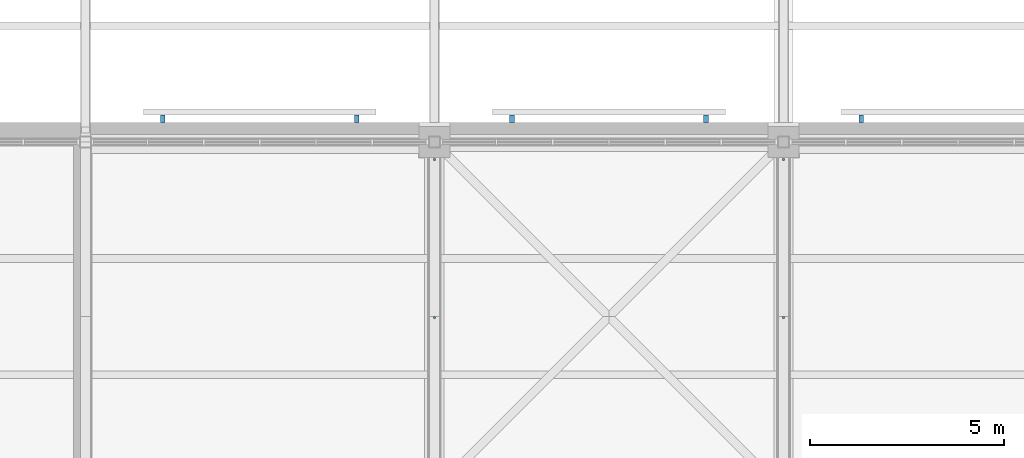
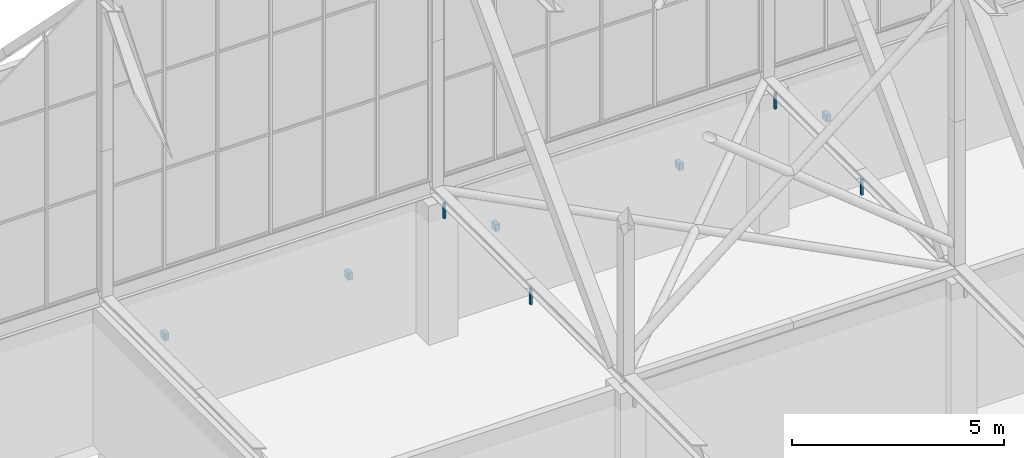
# One storey, part 231 of 646: 9 discrete accessories.
"""IFC4 building model written with IfcOpenShell, lengths in metres."""

from ifc_helpers import new_model, si_unit, direction, frame, origin, origin_2d, place, context, subcontext, project, spatial, rectangle, extrude, material, type_object, element, save


model = new_model("IFC4")

# Units and contexts
model_context = context("Model", 3, precision=1e-05, world=origin(), true_north=direction((0.0, 1.0)))
body_context = subcontext(model_context, "Body", "Model", "MODEL_VIEW")
ifc_project = project(units=[si_unit("LENGTHUNIT", "METRE"), si_unit("AREAUNIT", "SQUARE_METRE"), si_unit("VOLUMEUNIT", "CUBIC_METRE"), si_unit("PLANEANGLEUNIT", "RADIAN"), si_unit("MASSUNIT", "GRAM", prefix="KILO")], contexts=[model_context])

# Site, building, storey
site_placement = place(None, origin())
site = spatial("IfcSite", under=ifc_project, at=site_placement, CompositionType="ELEMENT")
building_placement = place(site_placement, origin())
building = spatial("IfcBuilding", under=site, at=building_placement, Name="Silverbay Arena", CompositionType="ELEMENT")
storey_placement = place(building_placement, frame((0.0, 0.0, 33.5)))
storey = spatial("IfcBuildingStorey", under=building, at=storey_placement, Name="L05", CompositionType="ELEMENT", Elevation=33.5)

# Discrete accessories
ifc_material_1 = material(Name="Steel S355", Category="steel")
discrete_accessory_type_1 = type_object("IfcDiscreteAccessoryType", Name="Ceiling hanger", PredefinedType="BRACKET", material=ifc_material_1)
for number, where, z_axis, x_axis, name in (
    (1, (126.0, 139.47509765625, 3.5498046875), (0.0, 0.0, 1.0), (1.0, 0.0, 0.0), "Ceiling hanger"),
    (2, (126.0, 143.550048828125, 3.5498046875), (0.0, 0.0, 1.0), (1.0, 0.0, 0.0), "Ceiling hanger"),
    (3, (135.0, 139.47509765625, 3.5498046875), (0.0, 0.0, 1.0), (1.0, 0.0, 0.0), "Ceiling hanger"),
    (4, (135.0, 143.550048828125, 3.5498046875), (0.0, 0.0, 1.0), (1.0, 0.0, 0.0), "Ceiling hanger"),
):
    element("IfcDiscreteAccessory", number, at=place(storey_placement, frame(where, z_axis=z_axis, x_axis=x_axis)), inside=storey, type_object=discrete_accessory_type_1, Name=name, PredefinedType="BRACKET", context=body_context, shape_type="SweptSolid", body=[
        extrude(rectangle(XDim=0.06005859375, YDim=0.06005859375, at=origin_2d()), origin(), (0.0, 0.0, 1.0), 0.449951171875),
    ])
ifc_material_2 = material(Name="Steel S355", Category="steel")
discrete_accessory_type_2 = type_object("IfcDiscreteAccessoryType", Name="Steel bracket plate", PredefinedType="BRACKET", material=ifc_material_2)
for number, where, z_axis, x_axis, name in (
    (5, (119.0, 144.60009765625, 1.89990234375), (0.0, 0.0, 1.0), (1.0, 0.0, 0.0), "Louvre support bracket"),
    (6, (124.0, 144.60009765625, 1.89990234375), (0.0, 0.0, 1.0), (1.0, 0.0, 0.0), "Louvre support bracket"),
    (7, (128.0, 144.60009765625, 1.89990234375), (0.0, 0.0, 1.0), (1.0, 0.0, 0.0), "Louvre support bracket"),
    (8, (133.0, 144.60009765625, 1.89990234375), (0.0, 0.0, 1.0), (1.0, 0.0, 0.0), "Louvre support bracket"),
    (9, (137.0, 144.60009765625, 1.89990234375), (0.0, 0.0, 1.0), (1.0, 0.0, 0.0), "Louvre support bracket"),
):
    element("IfcDiscreteAccessory", number, at=place(storey_placement, frame(where, z_axis=z_axis, x_axis=x_axis)), inside=storey, type_object=discrete_accessory_type_2, Name=name, PredefinedType="BRACKET", context=body_context, shape_type="SweptSolid", body=[
        extrude(rectangle(XDim=0.1201171875, YDim=0.199951171875, at=origin_2d()), origin(), (0.0, 0.0, 1.0), 0.199951171875),
    ])

save(model, "model.ifc")
